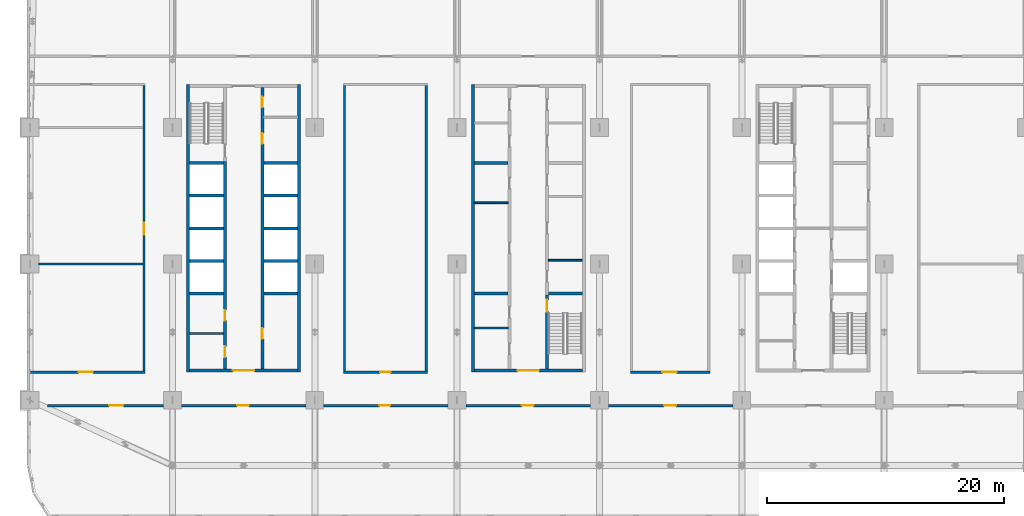
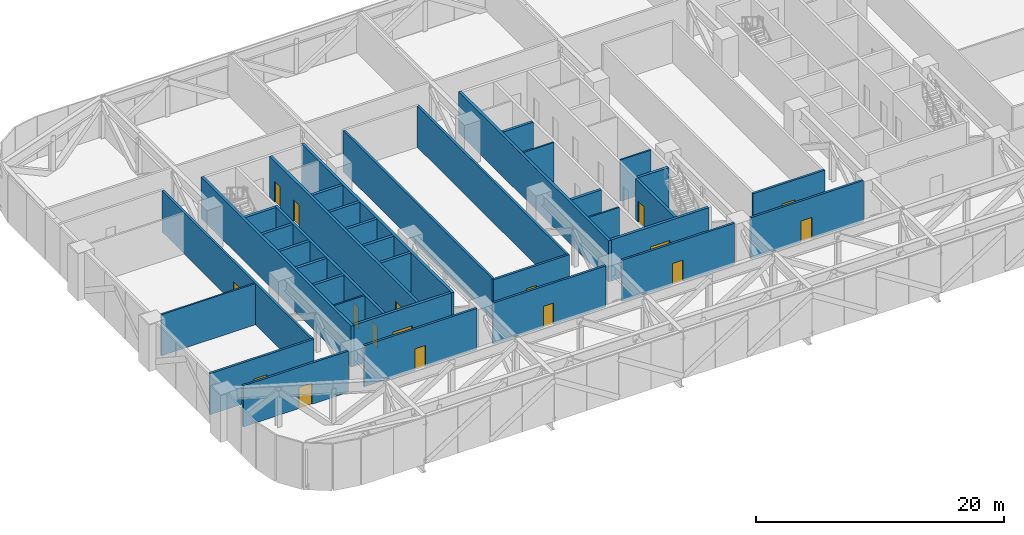
# One storey, part 10 of 26: 37 walls, 17 doors, 17 openings.
"""IFC4 building model written with IfcOpenShell, lengths in metres."""

from ifc_helpers import new_model, si_unit, direction, frame, frame_2d, origin, place, context, subcontext, project, spatial, rectangle, extrude, material, layer, layer_set, type_object, element, fill, save


model = new_model("IFC4")

# Units and contexts
model_context = context("Model", 3, precision=1e-05, world=origin(), true_north=direction((0.0, 1.0)))
body_context = subcontext(model_context, "Body", "Model", "MODEL_VIEW")
ifc_project = project(units=[si_unit("LENGTHUNIT", "METRE"), si_unit("AREAUNIT", "SQUARE_METRE"), si_unit("VOLUMEUNIT", "CUBIC_METRE"), si_unit("PLANEANGLEUNIT", "RADIAN"), si_unit("MASSUNIT", "GRAM", prefix="KILO")], contexts=[model_context])

# Site, building, storey
site_placement = place(None, origin())
site = spatial("IfcSite", under=ifc_project, at=site_placement, CompositionType="ELEMENT")
building_placement = place(site_placement, origin())
building = spatial("IfcBuilding", under=site, at=building_placement, Name="Mahtab Terrace Research Tower", CompositionType="ELEMENT")
storey_placement = place(building_placement, frame((0.0, 0.0, 80.39990234375)))
storey = spatial("IfcBuildingStorey", under=building, at=storey_placement, Name="L18", CompositionType="ELEMENT", Elevation=80.39990234375)

# Walls
ifc_material_1 = material(Name="Gypsum board partition")
ifc_layer_1 = layer(ifc_material_1, 0.14990234375)
ifc_layer_set_1 = layer_set([ifc_layer_1], Name="Core partition 150")
wall_type_1 = type_object("IfcWallType", Name="Core partition 150", PredefinedType="PARTITIONING", material=ifc_layer_set_1)
for number, where, z_axis, x_axis, name in (
    (1, (-28.550048828125, -5.875, 0.0), (0.0, 0.0, 1.0), (1.0, 0.0, 0.0), "Core wall A pWS-888"),
    (2, (-4.550048828125, 5.14990234375, 0.0), (0.0, 0.0, 1.0), (1.0, 0.0, 0.0), "Core wall B pWL215"),
    (3, (1.699951171875, 0.3125, 0.0), (0.0, 0.0, 1.0), (1.0, 0.0, 0.0), "Core wall B pEL-269"),
    (4, (-4.550048828125, -5.39501953125, 0.0), (0.0, 0.0, 1.0), (1.0, 0.0, 0.0), "Core wall B pWS-840"),
):
    element("IfcWall", number, at=place(storey_placement, frame(where, z_axis=z_axis, x_axis=x_axis)), inside=storey, type_object=wall_type_1, Name=name, PredefinedType="PARTITIONING", context=body_context, shape_type="SweptSolid", body=[
        extrude(rectangle(XDim=2.85009765625, YDim=0.14990234375, at=frame_2d((1.425048828125, 0.0))), origin(), (0.0, 0.0, 1.0), 4.06005859375),
    ])
ifc_material_2 = material(Name="Concrete C70/85", Category="concrete")
ifc_layer_2 = layer(ifc_material_2, 0.25)
ifc_layer_set_2 = layer_set([ifc_layer_2], Name="Core wall 250")
wall_type_2 = type_object("IfcWallType", Name="Core wall 250", PredefinedType="SOLIDWALL", material=ifc_layer_set_2)
for number, where, z_axis, x_axis, name in (
    (5, (-28.675048828125, 15.125, 0.0), (0.0, 0.0, 1.0), (0.0, -1.0, 0.0), "Core wall A outerW"),
    (6, (-19.324951171875, -9.125, 0.0), (0.0, 0.0, 1.0), (0.0, 1.0, 0.0), "Core wall A outerE"),
):
    element("IfcWall", number, at=place(storey_placement, frame(where, z_axis=z_axis, x_axis=x_axis)), inside=storey, type_object=wall_type_2, Name=name, PredefinedType="SOLIDWALL", context=body_context, shape_type="SweptSolid", body=[
        extrude(rectangle(XDim=24.25, YDim=0.25, at=frame_2d((12.125, 0.0))), origin(), (0.0, 0.0, 1.0), 4.06005859375),
    ])

# Wall, opening, door
wall_1_placement = place(storey_placement, frame((-19.449951171875, -9.0, 0.0), z_axis=(0.0, 0.0, 1.0), x_axis=(-1.0, 0.0, 0.0)))
wall_1 = element("IfcWall", 7, at=wall_1_placement, inside=storey, type_object=wall_type_2, Name="Core wall A endS", PredefinedType="SOLIDWALL", context=body_context, shape_type="SweptSolid", body=[
    extrude(rectangle(XDim=9.10009765625, YDim=0.25, at=frame_2d((4.550048828125, 0.0))), origin(), (0.0, 0.0, 1.0), 4.06005859375),
])
opening_1_placement = place(wall_1_placement, frame((3.64990234375, 0.0, 0.0)))
opening_1 = element("IfcOpeningElement", 8, at=opening_1_placement, cuts=wall_1, Name="Opening A-S1", PredefinedType="OPENING", context=body_context, shape_type="SweptSolid", body=[
    extrude(rectangle(XDim=1.800048828125, YDim=2.10009765625, at=frame_2d((0.89990234375, 1.050048828125))), frame((0.0, 0.135009765625, 0.0), z_axis=(0.0, -1.0, 0.0), x_axis=(1.0, 0.0, 0.0)), (0.0, 0.0, 1.0), 0.27001953125),
])
ifc_material_3 = material(Name="Steel fire door", Category="steel")
door_type_1 = type_object("IfcDoorType", Name="Lobby double door 1800x2100 1 HR", OperationType="DOUBLE_DOOR_SINGLE_SWING", PredefinedType="DOOR", material=ifc_material_3)
door_1_placement = place(opening_1_placement, origin())
door_1 = element("IfcDoor", 9, at=door_1_placement, inside=storey, type_object=door_type_1, Name="Core entrance door A S", OperationType="DOUBLE_DOOR_SINGLE_SWING", OverallHeight=2.10009765625, OverallWidth=1.800048828125, PredefinedType="DOOR", context=body_context, shape_type="SweptSolid", body=[
    extrude(rectangle(XDim=1.800048828125, YDim=2.10009765625, at=frame_2d((0.89990234375, 1.050048828125))), frame((0.0, 0.02490234375, 0.0), z_axis=(0.0, -1.0, 0.0), x_axis=(1.0, 0.0, 0.0)), (0.0, 0.0, 1.0), 0.050048828125),
])
fill(opening_1, door_1)

# Wall, openings, doors
wall_2_placement = place(storey_placement, frame((-25.574951171875, -8.875, 0.0), z_axis=(0.0, 0.0, 1.0), x_axis=(0.0, 1.0, 0.0)))
wall_2 = element("IfcWall", 10, at=wall_2_placement, inside=storey, type_object=wall_type_2, Name="Core wall A innerWSL", PredefinedType="SOLIDWALL", context=body_context, shape_type="SweptSolid", body=[
    extrude(rectangle(XDim=17.5, YDim=0.25, at=frame_2d((8.75, 0.0))), origin(), (0.0, 0.0, 1.0), 4.06005859375),
])
opening_2_placement = place(wall_2_placement, frame((1.012451171875, 0.0, 0.0)))
opening_2 = element("IfcOpeningElement", 11, at=opening_2_placement, cuts=wall_2, Name="Opening A-R1", PredefinedType="OPENING", context=body_context, shape_type="SweptSolid", body=[
    extrude(rectangle(XDim=0.89990234375, YDim=2.10009765625, at=frame_2d((0.449951171875, 1.050048828125))), frame((0.0, 0.135009765625, 0.0), z_axis=(0.0, -1.0, 0.0), x_axis=(1.0, 0.0, 0.0)), (0.0, 0.0, 1.0), 0.27001953125),
])
opening_3_placement = place(wall_2_placement, frame((4.08740234375, 0.0, 0.0)))
opening_3 = element("IfcOpeningElement", 12, at=opening_3_placement, cuts=wall_2, Name="Opening A-R2", PredefinedType="OPENING", context=body_context, shape_type="SweptSolid", body=[
    extrude(rectangle(XDim=0.89990234375, YDim=2.10009765625, at=frame_2d((0.449951171875, 1.050048828125))), frame((0.0, 0.135009765625, 0.0), z_axis=(0.0, -1.0, 0.0), x_axis=(1.0, 0.0, 0.0)), (0.0, 0.0, 1.0), 0.27001953125),
])
door_type_2 = type_object("IfcDoorType", Name="Room door 900x2100 1 HR", OperationType="NOTDEFINED", PredefinedType="DOOR", material=ifc_material_3)
door_2_placement = place(opening_2_placement, origin())
door_2 = element("IfcDoor", 13, at=door_2_placement, inside=storey, type_object=door_type_2, Name="Staff WC door", OperationType="SINGLE_SWING_LEFT", OverallHeight=2.10009765625, OverallWidth=0.89990234375, PredefinedType="DOOR", context=body_context, shape_type="SweptSolid", body=[
    extrude(rectangle(XDim=0.89990234375, YDim=2.10009765625, at=frame_2d((0.449951171875, 1.050048828125))), frame((0.0, 0.02490234375, 0.0), z_axis=(0.0, -1.0, 0.0), x_axis=(1.0, 0.0, 0.0)), (0.0, 0.0, 1.0), 0.050048828125),
])
fill(opening_2, door_2)
door_3_placement = place(opening_3_placement, origin())
door_3 = element("IfcDoor", 14, at=door_3_placement, inside=storey, type_object=door_type_2, Name="Accessible WC door", OperationType="SINGLE_SWING_RIGHT", OverallHeight=2.10009765625, OverallWidth=0.89990234375, PredefinedType="DOOR", context=body_context, shape_type="SweptSolid", body=[
    extrude(rectangle(XDim=0.89990234375, YDim=2.10009765625, at=frame_2d((0.449951171875, 1.050048828125))), frame((0.0, 0.02490234375, 0.0), z_axis=(0.0, -1.0, 0.0), x_axis=(1.0, 0.0, 0.0)), (0.0, 0.0, 1.0), 0.050048828125),
])
fill(opening_3, door_3)

wall_3_placement = place(storey_placement, frame((-22.425048828125, 14.875, 0.0), z_axis=(0.0, 0.0, 1.0), x_axis=(0.0, -1.0, 0.0)))
wall_3 = element("IfcWall", 15, at=wall_3_placement, inside=storey, type_object=wall_type_2, Name="Core wall A innerESLN", PredefinedType="SOLIDWALL", context=body_context, shape_type="SweptSolid", body=[
    extrude(rectangle(XDim=23.75, YDim=0.25, at=frame_2d((11.875, 0.0))), origin(), (0.0, 0.0, 1.0), 4.06005859375),
])
opening_4_placement = place(wall_3_placement, frame((20.300048828125, 0.0, 0.0)))
opening_4 = element("IfcOpeningElement", 16, at=opening_4_placement, cuts=wall_3, Name="Opening A-R3", PredefinedType="OPENING", context=body_context, shape_type="SweptSolid", body=[
    extrude(rectangle(XDim=0.89990234375, YDim=2.10009765625, at=frame_2d((0.449951171875, 1.050048828125))), frame((0.0, 0.135009765625, 0.0), z_axis=(0.0, -1.0, 0.0), x_axis=(1.0, 0.0, 0.0)), (0.0, 0.0, 1.0), 0.27001953125),
])
opening_5_placement = place(wall_3_placement, frame((3.847412109375, 0.0, 0.0)))
opening_5 = element("IfcOpeningElement", 17, at=opening_5_placement, cuts=wall_3, Name="Opening A-R4", PredefinedType="OPENING", context=body_context, shape_type="SweptSolid", body=[
    extrude(rectangle(XDim=0.89990234375, YDim=2.10009765625, at=frame_2d((0.449951171875, 1.050048828125))), frame((0.0, 0.135009765625, 0.0), z_axis=(0.0, -1.0, 0.0), x_axis=(1.0, 0.0, 0.0)), (0.0, 0.0, 1.0), 0.27001953125),
])
opening_6_placement = place(wall_3_placement, frame((0.7724609375, 0.0, 0.0)))
opening_6 = element("IfcOpeningElement", 18, at=opening_6_placement, cuts=wall_3, Name="Opening A-R5", PredefinedType="OPENING", context=body_context, shape_type="SweptSolid", body=[
    extrude(rectangle(XDim=0.89990234375, YDim=2.10009765625, at=frame_2d((0.449951171875, 1.050048828125))), frame((0.0, 0.135009765625, 0.0), z_axis=(0.0, -1.0, 0.0), x_axis=(1.0, 0.0, 0.0)), (0.0, 0.0, 1.0), 0.27001953125),
])
door_4_placement = place(opening_4_placement, origin())
door_4 = element("IfcDoor", 19, at=door_4_placement, inside=storey, type_object=door_type_2, Name="Gas cylinder store door", OperationType="SINGLE_SWING_LEFT", OverallHeight=2.10009765625, OverallWidth=0.89990234375, PredefinedType="DOOR", context=body_context, shape_type="SweptSolid", body=[
    extrude(rectangle(XDim=0.89990234375, YDim=2.10009765625, at=frame_2d((0.449951171875, 1.050048828125))), frame((0.0, 0.02490234375, 0.0), z_axis=(0.0, -1.0, 0.0), x_axis=(1.0, 0.0, 0.0)), (0.0, 0.0, 1.0), 0.050048828125),
])
fill(opening_4, door_4)
door_5_placement = place(opening_5_placement, origin())
door_5 = element("IfcDoor", 20, at=door_5_placement, inside=storey, type_object=door_type_2, Name="Pantry door", OperationType="SINGLE_SWING_RIGHT", OverallHeight=2.10009765625, OverallWidth=0.89990234375, PredefinedType="DOOR", context=body_context, shape_type="SweptSolid", body=[
    extrude(rectangle(XDim=0.89990234375, YDim=2.10009765625, at=frame_2d((0.449951171875, 1.050048828125))), frame((0.0, 0.02490234375, 0.0), z_axis=(0.0, -1.0, 0.0), x_axis=(1.0, 0.0, 0.0)), (0.0, 0.0, 1.0), 0.050048828125),
])
fill(opening_5, door_5)
door_6_placement = place(opening_6_placement, origin())
door_6 = element("IfcDoor", 21, at=door_6_placement, inside=storey, type_object=door_type_2, Name="Linen store door", OperationType="SINGLE_SWING_LEFT", OverallHeight=2.10009765625, OverallWidth=0.89990234375, PredefinedType="DOOR", context=body_context, shape_type="SweptSolid", body=[
    extrude(rectangle(XDim=0.89990234375, YDim=2.10009765625, at=frame_2d((0.449951171875, 1.050048828125))), frame((0.0, 0.02490234375, 0.0), z_axis=(0.0, -1.0, 0.0), x_axis=(1.0, 0.0, 0.0)), (0.0, 0.0, 1.0), 0.050048828125),
])
fill(opening_6, door_6)

# Walls
for number, where, z_axis, x_axis, name in (
    (22, (-28.550048828125, -2.5, 0.0), (0.0, 0.0, 1.0), (1.0, 0.0, 0.0), "Core wall A divW0"),
    (23, (-28.550048828125, 0.25, 0.0), (0.0, 0.0, 1.0), (1.0, 0.0, 0.0), "Core wall A divW1"),
    (24, (-28.550048828125, 3.0, 0.0), (0.0, 0.0, 1.0), (1.0, 0.0, 0.0), "Core wall A divW2"),
    (25, (-28.550048828125, 5.75, 0.0), (0.0, 0.0, 1.0), (1.0, 0.0, 0.0), "Core wall A divW3"),
    (26, (-28.550048828125, 8.5, 0.0), (0.0, 0.0, 1.0), (1.0, 0.0, 0.0), "Core wall A divW4"),
    (27, (-22.300048828125, -2.5, 0.0), (0.0, 0.0, 1.0), (1.0, 0.0, 0.0), "Core wall A divE0"),
    (28, (-22.300048828125, 0.25, 0.0), (0.0, 0.0, 1.0), (1.0, 0.0, 0.0), "Core wall A divE1"),
    (29, (-22.300048828125, 3.0, 0.0), (0.0, 0.0, 1.0), (1.0, 0.0, 0.0), "Core wall A divE2"),
    (30, (-22.300048828125, 5.75, 0.0), (0.0, 0.0, 1.0), (1.0, 0.0, 0.0), "Core wall A divE3"),
    (31, (-22.300048828125, 8.5, 0.0), (0.0, 0.0, 1.0), (1.0, 0.0, 0.0), "Core wall A divE4"),
):
    element("IfcWall", number, at=place(storey_placement, frame(where, z_axis=z_axis, x_axis=x_axis)), inside=storey, type_object=wall_type_2, Name=name, PredefinedType="SOLIDWALL", context=body_context, shape_type="SweptSolid", body=[
        extrude(rectangle(XDim=2.85009765625, YDim=0.25, at=frame_2d((1.425048828125, 0.0))), origin(), (0.0, 0.0, 1.0), 4.06005859375),
    ])
wall_4_placement = place(storey_placement, frame((-4.675048828125, 15.125, 0.0), z_axis=(0.0, 0.0, 1.0), x_axis=(0.0, -1.0, 0.0)))
element("IfcWall", 32, at=wall_4_placement, inside=storey, type_object=wall_type_2, Name="Core wall B outerW", PredefinedType="SOLIDWALL", context=body_context, shape_type="SweptSolid", body=[
    extrude(rectangle(XDim=24.25, YDim=0.25, at=frame_2d((12.125, 0.0))), origin(), (0.0, 0.0, 1.0), 4.06005859375),
])

# Wall, opening, door
wall_5_placement = place(storey_placement, frame((4.550048828125, -9.0, 0.0), z_axis=(0.0, 0.0, 1.0), x_axis=(-1.0, 0.0, 0.0)))
wall_5 = element("IfcWall", 33, at=wall_5_placement, inside=storey, type_object=wall_type_2, Name="Core wall B endS", PredefinedType="SOLIDWALL", context=body_context, shape_type="SweptSolid", body=[
    extrude(rectangle(XDim=9.10009765625, YDim=0.25, at=frame_2d((4.550048828125, 0.0))), origin(), (0.0, 0.0, 1.0), 4.06005859375),
])
opening_7_placement = place(wall_5_placement, frame((3.64990234375, 0.0, 0.0)))
opening_7 = element("IfcOpeningElement", 34, at=opening_7_placement, cuts=wall_5, Name="Opening B-S1", PredefinedType="OPENING", context=body_context, shape_type="SweptSolid", body=[
    extrude(rectangle(XDim=1.800048828125, YDim=2.10009765625, at=frame_2d((0.89990234375, 1.050048828125))), frame((0.0, 0.135009765625, 0.0), z_axis=(0.0, -1.0, 0.0), x_axis=(1.0, 0.0, 0.0)), (0.0, 0.0, 1.0), 0.27001953125),
])
door_7_placement = place(opening_7_placement, origin())
door_7 = element("IfcDoor", 35, at=door_7_placement, inside=storey, type_object=door_type_1, Name="Core entrance door B S", OperationType="DOUBLE_DOOR_SINGLE_SWING", OverallHeight=2.10009765625, OverallWidth=1.800048828125, PredefinedType="DOOR", context=body_context, shape_type="SweptSolid", body=[
    extrude(rectangle(XDim=1.800048828125, YDim=2.10009765625, at=frame_2d((0.89990234375, 1.050048828125))), frame((0.0, 0.02490234375, 0.0), z_axis=(0.0, -1.0, 0.0), x_axis=(1.0, 0.0, 0.0)), (0.0, 0.0, 1.0), 0.050048828125),
])
fill(opening_7, door_7)

wall_6_placement = place(storey_placement, frame((1.574951171875, -8.875, 0.0), z_axis=(0.0, 0.0, 1.0), x_axis=(0.0, 1.0, 0.0)))
wall_6 = element("IfcWall", 36, at=wall_6_placement, inside=storey, type_object=wall_type_2, Name="Core wall B innerES", PredefinedType="SOLIDWALL", context=body_context, shape_type="SweptSolid", body=[
    extrude(rectangle(XDim=6.25, YDim=0.25, at=frame_2d((3.125, 0.0))), origin(), (0.0, 0.0, 1.0), 4.06005859375),
])
opening_8_placement = place(wall_6_placement, frame((4.85009765625, 0.0, 0.0)))
opening_8 = element("IfcOpeningElement", 37, at=opening_8_placement, cuts=wall_6, Name="Opening B-ST2", PredefinedType="OPENING", context=body_context, shape_type="SweptSolid", body=[
    extrude(rectangle(XDim=1.0, YDim=2.10009765625, at=frame_2d((0.5, 1.050048828125))), frame((0.0, 0.135009765625, 0.0), z_axis=(0.0, -1.0, 0.0), x_axis=(1.0, 0.0, 0.0)), (0.0, 0.0, 1.0), 0.27001953125),
])
door_type_3 = type_object("IfcDoorType", Name="Stair door 1000x2100 1.5 HR", OperationType="NOTDEFINED", PredefinedType="DOOR", material=ifc_material_3)
door_8_placement = place(opening_8_placement, origin())
door_8 = element("IfcDoor", 38, at=door_8_placement, inside=storey, type_object=door_type_3, Name="Stair door ST2 L18", OperationType="SINGLE_SWING_RIGHT", OverallHeight=2.10009765625, OverallWidth=1.0, PredefinedType="DOOR", context=body_context, shape_type="SweptSolid", body=[
    extrude(rectangle(XDim=1.0, YDim=2.10009765625, at=frame_2d((0.5, 1.050048828125))), frame((0.0, 0.02490234375, 0.0), z_axis=(0.0, -1.0, 0.0), x_axis=(1.0, 0.0, 0.0)), (0.0, 0.0, 1.0), 0.050048828125),
])
fill(opening_8, door_8)

# Walls
for number, where, z_axis, x_axis, name in (
    (39, (-4.550048828125, -2.5, 0.0), (0.0, 0.0, 1.0), (1.0, 0.0, 0.0), "Core wall B divW0"),
    (40, (-4.550048828125, 8.5, 0.0), (0.0, 0.0, 1.0), (1.0, 0.0, 0.0), "Core wall B divW4"),
    (41, (1.699951171875, -2.5, 0.0), (0.0, 0.0, 1.0), (1.0, 0.0, 0.0), "Core wall B divE0"),
):
    element("IfcWall", number, at=place(storey_placement, frame(where, z_axis=z_axis, x_axis=x_axis)), inside=storey, type_object=wall_type_2, Name=name, PredefinedType="SOLIDWALL", context=body_context, shape_type="SweptSolid", body=[
        extrude(rectangle(XDim=2.85009765625, YDim=0.25, at=frame_2d((1.425048828125, 0.0))), origin(), (0.0, 0.0, 1.0), 4.06005859375),
    ])

# Wall, opening, door
ifc_material_4 = material(Name="Gypsum board corridor wall on steel studs", Category="steel")
ifc_layer_3 = layer(ifc_material_4, 0.199951171875)
ifc_layer_set_3 = layer_set([ifc_layer_3], Name="WALL CORRIDOR 200")
wall_type_3 = type_object("IfcWallType", Name="WALL CORRIDOR 200", PredefinedType="PARTITIONING", material=ifc_layer_set_3)
wall_7_placement = place(storey_placement, frame((-40.537841796875, -11.949951171875, 0.0), z_axis=(0.0, 0.0, 1.0), x_axis=(1.0, 0.0, 0.0)))
wall_7 = element("IfcWall", 42, at=wall_7_placement, inside=storey, type_object=wall_type_3, Name="L18-W001", PredefinedType="PARTITIONING", context=body_context, shape_type="SweptSolid", body=[
    extrude(rectangle(XDim=9.787841796875, YDim=0.199951171875, at=frame_2d((4.89404296875, 0.0))), origin(), (0.0, 0.0, 1.0), 4.06005859375),
])
opening_9_placement = place(wall_7_placement, frame((5.199951171875, 0.0, 0.0)))
opening_9 = element("IfcOpeningElement", 43, at=opening_9_placement, cuts=wall_7, Name="Opening L18-101", PredefinedType="OPENING", context=body_context, shape_type="SweptSolid", body=[
    extrude(rectangle(XDim=1.199951171875, YDim=2.10009765625, at=frame_2d((0.60009765625, 1.050048828125))), frame((0.0, 0.10986328125, 0.0), z_axis=(0.0, -1.0, 0.0), x_axis=(1.0, 0.0, 0.0)), (0.0, 0.0, 1.0), 0.219970703125),
])
ifc_material_5 = material(Name="Timber door leaf in steel frame", Category="steel")
door_type_4 = type_object("IfcDoorType", Name="DOOR 1200X2100 FD30S", OperationType="SINGLE_SWING_LEFT", PredefinedType="DOOR", material=ifc_material_5)
door_9_placement = place(opening_9_placement, origin())
door_9 = element("IfcDoor", 44, at=door_9_placement, inside=storey, type_object=door_type_4, Name="Door L18-101", OperationType="SINGLE_SWING_LEFT", OverallHeight=2.10009765625, OverallWidth=1.199951171875, PredefinedType="DOOR", context=body_context, shape_type="SweptSolid", body=[
    extrude(rectangle(XDim=1.199951171875, YDim=2.10009765625, at=frame_2d((0.60009765625, 1.050048828125))), frame((0.0, 0.02490234375, 0.0), z_axis=(0.0, -1.0, 0.0), x_axis=(1.0, 0.0, 0.0)), (0.0, 0.0, 1.0), 0.050048828125),
])
fill(opening_9, door_9)

wall_8_placement = place(storey_placement, frame((-29.25, -11.949951171875, 0.0), z_axis=(0.0, 0.0, 1.0), x_axis=(1.0, 0.0, 0.0)))
wall_8 = element("IfcWall", 45, at=wall_8_placement, inside=storey, type_object=wall_type_3, Name="L18-W002", PredefinedType="PARTITIONING", context=body_context, shape_type="SweptSolid", body=[
    extrude(rectangle(XDim=10.5, YDim=0.199951171875, at=frame_2d((5.25, 0.0))), origin(), (0.0, 0.0, 1.0), 4.06005859375),
])
opening_10_placement = place(wall_8_placement, frame((4.699951171875, 0.0, 0.0)))
opening_10 = element("IfcOpeningElement", 46, at=opening_10_placement, cuts=wall_8, Name="Opening L18-102", PredefinedType="OPENING", context=body_context, shape_type="SweptSolid", body=[
    extrude(rectangle(XDim=1.0, YDim=2.10009765625, at=frame_2d((0.5, 1.050048828125))), frame((0.0, 0.10986328125, 0.0), z_axis=(0.0, -1.0, 0.0), x_axis=(1.0, 0.0, 0.0)), (0.0, 0.0, 1.0), 0.219970703125),
])
door_type_5 = type_object("IfcDoorType", Name="DOOR 1000X2100 FD30S", OperationType="SINGLE_SWING_LEFT", PredefinedType="DOOR", material=ifc_material_5)
door_10_placement = place(opening_10_placement, origin())
door_10 = element("IfcDoor", 47, at=door_10_placement, inside=storey, type_object=door_type_5, Name="Door L18-102", OperationType="SINGLE_SWING_RIGHT", OverallHeight=2.10009765625, OverallWidth=1.0, PredefinedType="DOOR", context=body_context, shape_type="SweptSolid", body=[
    extrude(rectangle(XDim=1.0, YDim=2.10009765625, at=frame_2d((0.5, 1.050048828125))), frame((0.0, 0.02490234375, 0.0), z_axis=(0.0, -1.0, 0.0), x_axis=(1.0, 0.0, 0.0)), (0.0, 0.0, 1.0), 0.050048828125),
])
fill(opening_10, door_10)

wall_9_placement = place(storey_placement, frame((-17.25, -11.949951171875, 0.0), z_axis=(0.0, 0.0, 1.0), x_axis=(1.0, 0.0, 0.0)))
wall_9 = element("IfcWall", 48, at=wall_9_placement, inside=storey, type_object=wall_type_3, Name="L18-W003", PredefinedType="PARTITIONING", context=body_context, shape_type="SweptSolid", body=[
    extrude(rectangle(XDim=10.5, YDim=0.199951171875, at=frame_2d((5.25, 0.0))), origin(), (0.0, 0.0, 1.0), 4.06005859375),
])
opening_11_placement = place(wall_9_placement, frame((4.699951171875, 0.0, 0.0)))
opening_11 = element("IfcOpeningElement", 49, at=opening_11_placement, cuts=wall_9, Name="Opening L18-103", PredefinedType="OPENING", context=body_context, shape_type="SweptSolid", body=[
    extrude(rectangle(XDim=0.89990234375, YDim=2.10009765625, at=frame_2d((0.449951171875, 1.050048828125))), frame((0.0, 0.10986328125, 0.0), z_axis=(0.0, -1.0, 0.0), x_axis=(1.0, 0.0, 0.0)), (0.0, 0.0, 1.0), 0.219970703125),
])
door_type_6 = type_object("IfcDoorType", Name="DOOR 0900X2100 FD30S", OperationType="SINGLE_SWING_LEFT", PredefinedType="DOOR", material=ifc_material_5)
door_11_placement = place(opening_11_placement, origin())
door_11 = element("IfcDoor", 50, at=door_11_placement, inside=storey, type_object=door_type_6, Name="Door L18-103", OperationType="SINGLE_SWING_RIGHT", OverallHeight=2.10009765625, OverallWidth=0.89990234375, PredefinedType="DOOR", context=body_context, shape_type="SweptSolid", body=[
    extrude(rectangle(XDim=0.89990234375, YDim=2.10009765625, at=frame_2d((0.449951171875, 1.050048828125))), frame((0.0, 0.02490234375, 0.0), z_axis=(0.0, -1.0, 0.0), x_axis=(1.0, 0.0, 0.0)), (0.0, 0.0, 1.0), 0.050048828125),
])
fill(opening_11, door_11)

wall_10_placement = place(storey_placement, frame((-5.25, -11.949951171875, 0.0), z_axis=(0.0, 0.0, 1.0), x_axis=(1.0, 0.0, 0.0)))
wall_10 = element("IfcWall", 51, at=wall_10_placement, inside=storey, type_object=wall_type_3, Name="L18-W004", PredefinedType="PARTITIONING", context=body_context, shape_type="SweptSolid", body=[
    extrude(rectangle(XDim=10.5, YDim=0.199951171875, at=frame_2d((5.25, 0.0))), origin(), (0.0, 0.0, 1.0), 4.06005859375),
])
opening_12_placement = place(wall_10_placement, frame((4.699951171875, 0.0, 0.0)))
opening_12 = element("IfcOpeningElement", 52, at=opening_12_placement, cuts=wall_10, Name="Opening L18-104", PredefinedType="OPENING", context=body_context, shape_type="SweptSolid", body=[
    extrude(rectangle(XDim=1.0, YDim=2.10009765625, at=frame_2d((0.5, 1.050048828125))), frame((0.0, 0.10986328125, 0.0), z_axis=(0.0, -1.0, 0.0), x_axis=(1.0, 0.0, 0.0)), (0.0, 0.0, 1.0), 0.219970703125),
])
door_12_placement = place(opening_12_placement, origin())
door_12 = element("IfcDoor", 53, at=door_12_placement, inside=storey, type_object=door_type_5, Name="Door L18-104", OperationType="SINGLE_SWING_RIGHT", OverallHeight=2.10009765625, OverallWidth=1.0, PredefinedType="DOOR", context=body_context, shape_type="SweptSolid", body=[
    extrude(rectangle(XDim=1.0, YDim=2.10009765625, at=frame_2d((0.5, 1.050048828125))), frame((0.0, 0.02490234375, 0.0), z_axis=(0.0, -1.0, 0.0), x_axis=(1.0, 0.0, 0.0)), (0.0, 0.0, 1.0), 0.050048828125),
])
fill(opening_12, door_12)

wall_11_placement = place(storey_placement, frame((6.75, -11.949951171875, 0.0), z_axis=(0.0, 0.0, 1.0), x_axis=(1.0, 0.0, 0.0)))
wall_11 = element("IfcWall", 54, at=wall_11_placement, inside=storey, type_object=wall_type_3, Name="L18-W005", PredefinedType="PARTITIONING", context=body_context, shape_type="SweptSolid", body=[
    extrude(rectangle(XDim=10.5, YDim=0.199951171875, at=frame_2d((5.25, 0.0))), origin(), (0.0, 0.0, 1.0), 4.06005859375),
])
opening_13_placement = place(wall_11_placement, frame((4.699951171875, 0.0, 0.0)))
opening_13 = element("IfcOpeningElement", 55, at=opening_13_placement, cuts=wall_11, Name="Opening L18-105", PredefinedType="OPENING", context=body_context, shape_type="SweptSolid", body=[
    extrude(rectangle(XDim=1.0, YDim=2.10009765625, at=frame_2d((0.5, 1.050048828125))), frame((0.0, 0.10986328125, 0.0), z_axis=(0.0, -1.0, 0.0), x_axis=(1.0, 0.0, 0.0)), (0.0, 0.0, 1.0), 0.219970703125),
])
door_13_placement = place(opening_13_placement, origin())
door_13 = element("IfcDoor", 56, at=door_13_placement, inside=storey, type_object=door_type_5, Name="Door L18-105", OperationType="SINGLE_SWING_RIGHT", OverallHeight=2.10009765625, OverallWidth=1.0, PredefinedType="DOOR", context=body_context, shape_type="SweptSolid", body=[
    extrude(rectangle(XDim=1.0, YDim=2.10009765625, at=frame_2d((0.5, 1.050048828125))), frame((0.0, 0.02490234375, 0.0), z_axis=(0.0, -1.0, 0.0), x_axis=(1.0, 0.0, 0.0)), (0.0, 0.0, 1.0), 0.050048828125),
])
fill(opening_13, door_13)

wall_12_placement = place(storey_placement, frame((-42.0, -9.125, 0.0), z_axis=(0.0, 0.0, 1.0), x_axis=(1.0, 0.0, 0.0)))
wall_12 = element("IfcWall", 57, at=wall_12_placement, inside=storey, type_object=wall_type_3, Name="L18-W009", PredefinedType="PARTITIONING", context=body_context, shape_type="SweptSolid", body=[
    extrude(rectangle(XDim=9.699951171875, YDim=0.199951171875, at=frame_2d((4.85009765625, 0.0))), origin(), (0.0, 0.0, 1.0), 4.06005859375),
])
opening_14_placement = place(wall_12_placement, frame((4.10009765625, 0.0, 0.0)))
opening_14 = element("IfcOpeningElement", 58, at=opening_14_placement, cuts=wall_12, Name="Opening L18-109", PredefinedType="OPENING", context=body_context, shape_type="SweptSolid", body=[
    extrude(rectangle(XDim=1.199951171875, YDim=2.10009765625, at=frame_2d((0.60009765625, 1.050048828125))), frame((0.0, 0.10986328125, 0.0), z_axis=(0.0, -1.0, 0.0), x_axis=(1.0, 0.0, 0.0)), (0.0, 0.0, 1.0), 0.219970703125),
])
door_14_placement = place(opening_14_placement, origin())
door_14 = element("IfcDoor", 59, at=door_14_placement, inside=storey, type_object=door_type_4, Name="Door L18-109", OperationType="SINGLE_SWING_LEFT", OverallHeight=2.10009765625, OverallWidth=1.199951171875, PredefinedType="DOOR", context=body_context, shape_type="SweptSolid", body=[
    extrude(rectangle(XDim=1.199951171875, YDim=2.10009765625, at=frame_2d((0.60009765625, 1.050048828125))), frame((0.0, 0.02490234375, 0.0), z_axis=(0.0, -1.0, 0.0), x_axis=(1.0, 0.0, 0.0)), (0.0, 0.0, 1.0), 0.050048828125),
])
fill(opening_14, door_14)

wall_13_placement = place(storey_placement, frame((-15.60009765625, -9.125, 0.0), z_axis=(0.0, 0.0, 1.0), x_axis=(1.0, 0.0, 0.0)))
wall_13 = element("IfcWall", 60, at=wall_13_placement, inside=storey, type_object=wall_type_3, Name="L18-W010", PredefinedType="PARTITIONING", context=body_context, shape_type="SweptSolid", body=[
    extrude(rectangle(XDim=7.10009765625, YDim=0.199951171875, at=frame_2d((3.550048828125, 0.0))), origin(), (0.0, 0.0, 1.0), 4.06005859375),
])
opening_15_placement = place(wall_13_placement, frame((3.10009765625, 0.0, 0.0)))
opening_15 = element("IfcOpeningElement", 61, at=opening_15_placement, cuts=wall_13, Name="Opening L18-113", PredefinedType="OPENING", context=body_context, shape_type="SweptSolid", body=[
    extrude(rectangle(XDim=0.89990234375, YDim=2.10009765625, at=frame_2d((0.449951171875, 1.050048828125))), frame((0.0, 0.10986328125, 0.0), z_axis=(0.0, -1.0, 0.0), x_axis=(1.0, 0.0, 0.0)), (0.0, 0.0, 1.0), 0.219970703125),
])
door_15_placement = place(opening_15_placement, origin())
door_15 = element("IfcDoor", 62, at=door_15_placement, inside=storey, type_object=door_type_6, Name="Door L18-113", OperationType="SINGLE_SWING_RIGHT", OverallHeight=2.10009765625, OverallWidth=0.89990234375, PredefinedType="DOOR", context=body_context, shape_type="SweptSolid", body=[
    extrude(rectangle(XDim=0.89990234375, YDim=2.10009765625, at=frame_2d((0.449951171875, 1.050048828125))), frame((0.0, 0.02490234375, 0.0), z_axis=(0.0, -1.0, 0.0), x_axis=(1.0, 0.0, 0.0)), (0.0, 0.0, 1.0), 0.050048828125),
])
fill(opening_15, door_15)

wall_14_placement = place(storey_placement, frame((8.60009765625, -9.125, 0.0), z_axis=(0.0, 0.0, 1.0), x_axis=(1.0, 0.0, 0.0)))
wall_14 = element("IfcWall", 63, at=wall_14_placement, inside=storey, type_object=wall_type_3, Name="L18-W011", PredefinedType="PARTITIONING", context=body_context, shape_type="SweptSolid", body=[
    extrude(rectangle(XDim=6.699951171875, YDim=0.199951171875, at=frame_2d((3.35009765625, 0.0))), origin(), (0.0, 0.0, 1.0), 4.06005859375),
])
opening_16_placement = place(wall_14_placement, frame((2.699951171875, 0.0, 0.0)))
opening_16 = element("IfcOpeningElement", 64, at=opening_16_placement, cuts=wall_14, Name="Opening L18-114", PredefinedType="OPENING", context=body_context, shape_type="SweptSolid", body=[
    extrude(rectangle(XDim=1.199951171875, YDim=2.10009765625, at=frame_2d((0.60009765625, 1.050048828125))), frame((0.0, 0.10986328125, 0.0), z_axis=(0.0, -1.0, 0.0), x_axis=(1.0, 0.0, 0.0)), (0.0, 0.0, 1.0), 0.219970703125),
])
door_16_placement = place(opening_16_placement, origin())
door_16 = element("IfcDoor", 65, at=door_16_placement, inside=storey, type_object=door_type_4, Name="Door L18-114", OperationType="SINGLE_SWING_LEFT", OverallHeight=2.10009765625, OverallWidth=1.199951171875, PredefinedType="DOOR", context=body_context, shape_type="SweptSolid", body=[
    extrude(rectangle(XDim=1.199951171875, YDim=2.10009765625, at=frame_2d((0.60009765625, 1.050048828125))), frame((0.0, 0.02490234375, 0.0), z_axis=(0.0, -1.0, 0.0), x_axis=(1.0, 0.0, 0.0)), (0.0, 0.0, 1.0), 0.050048828125),
])
fill(opening_16, door_16)

wall_15_placement = place(storey_placement, frame((-32.39990234375, -9.02490234375, 0.0), z_axis=(0.0, 0.0, 1.0), x_axis=(0.0, 1.0, 0.0)))
wall_15 = element("IfcWall", 66, at=wall_15_placement, inside=storey, type_object=wall_type_3, Name="L18-W032", PredefinedType="PARTITIONING", context=body_context, shape_type="SweptSolid", body=[
    extrude(rectangle(XDim=24.0498046875, YDim=0.199951171875, at=frame_2d((12.02490234375, 0.0))), origin(), (0.0, 0.0, 1.0), 4.06005859375),
])
opening_17_placement = place(wall_15_placement, frame((11.5, 0.0, 0.0)))
opening_17 = element("IfcOpeningElement", 67, at=opening_17_placement, cuts=wall_15, Name="Opening L18-112", PredefinedType="OPENING", context=body_context, shape_type="SweptSolid", body=[
    extrude(rectangle(XDim=1.0, YDim=2.10009765625, at=frame_2d((0.5, 1.050048828125))), frame((0.0, 0.10986328125, 0.0), z_axis=(0.0, -1.0, 0.0), x_axis=(1.0, 0.0, 0.0)), (0.0, 0.0, 1.0), 0.219970703125),
])
door_17_placement = place(opening_17_placement, origin())
door_17 = element("IfcDoor", 68, at=door_17_placement, inside=storey, type_object=door_type_5, Name="Door L18-112", OperationType="SINGLE_SWING_LEFT", OverallHeight=2.10009765625, OverallWidth=1.0, PredefinedType="DOOR", context=body_context, shape_type="SweptSolid", body=[
    extrude(rectangle(XDim=1.0, YDim=2.10009765625, at=frame_2d((0.5, 1.050048828125))), frame((0.0, 0.02490234375, 0.0), z_axis=(0.0, -1.0, 0.0), x_axis=(1.0, 0.0, 0.0)), (0.0, 0.0, 1.0), 0.050048828125),
])
fill(opening_17, door_17)

# Walls
for number, where, z_axis, x_axis, name in (
    (69, (-15.5, -9.02490234375, 0.0), (0.0, 0.0, 1.0), (0.0, 1.0, 0.0), "L18-W036"),
    (70, (-8.60009765625, -9.02490234375, 0.0), (0.0, 0.0, 1.0), (0.0, 1.0, 0.0), "L18-W037"),
):
    element("IfcWall", number, at=place(storey_placement, frame(where, z_axis=z_axis, x_axis=x_axis)), inside=storey, type_object=wall_type_3, Name=name, PredefinedType="PARTITIONING", context=body_context, shape_type="SweptSolid", body=[
        extrude(rectangle(XDim=24.0498046875, YDim=0.199951171875, at=frame_2d((12.02490234375, 0.0))), origin(), (0.0, 0.0, 1.0), 4.06005859375),
    ])
ifc_material_6 = material(Name="Gypsum board partition on steel studs", Category="steel")
ifc_layer_4 = layer(ifc_material_6, 0.14990234375)
ifc_layer_set_4 = layer_set([ifc_layer_4], Name="WALL PARTITION 150")
wall_type_4 = type_object("IfcWallType", Name="WALL PARTITION 150", PredefinedType="PARTITIONING", material=ifc_layer_set_4)
wall_16_placement = place(storey_placement, frame((-41.25, 0.0, 0.0), z_axis=(0.0, 0.0, 1.0), x_axis=(1.0, 0.0, 0.0)))
element("IfcWall", 71, at=wall_16_placement, inside=storey, type_object=wall_type_4, Name="L18-W014", PredefinedType="PARTITIONING", context=body_context, shape_type="SweptSolid", body=[
    extrude(rectangle(XDim=8.75, YDim=0.14990234375, at=frame_2d((4.375, 0.0))), origin(), (0.0, 0.0, 1.0), 4.06005859375),
])

save(model, "model.ifc")
